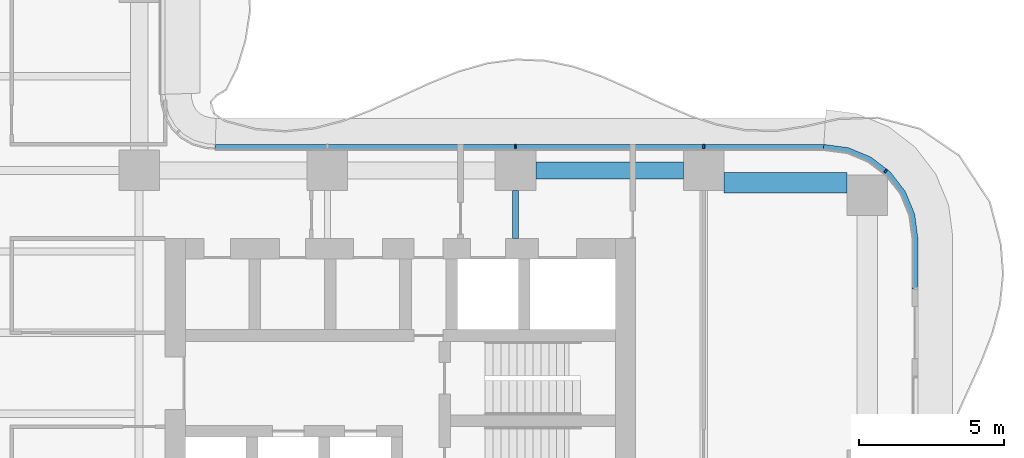
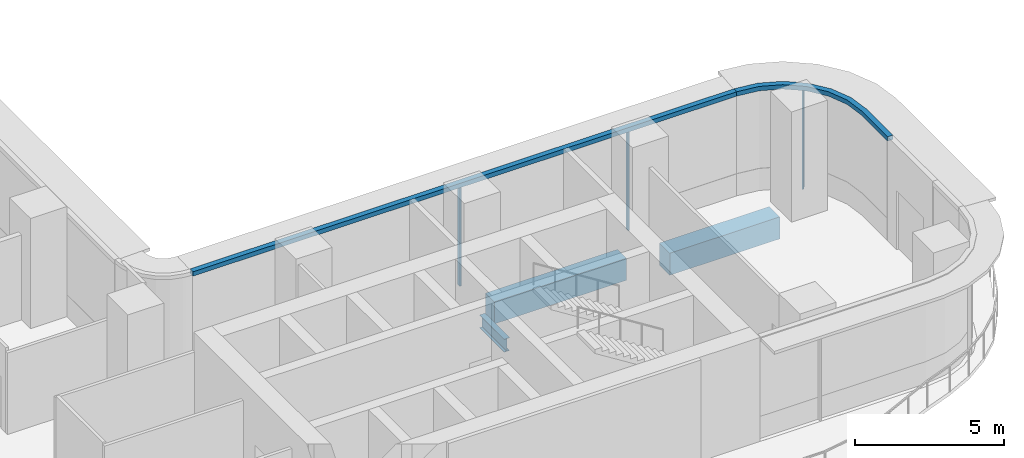
# One storey, part 11 of 22: 5 members, 3 beams, 2 elements without a shape of their own.
"""IFC4 building model written with IfcOpenShell, lengths in metres."""

from ifc_helpers import new_model, si_unit, direction, frame, origin, origin_2d, place, context, subcontext, project, spatial, polyline, rectangle, i_section, outline, extrude, source, transform, mapped, material, layer, layer_set, material_profile, profile_set, type_object, element, aggregate, save


model = new_model("IFC4")

# Units and contexts
model_context = context("Model", 3, precision=1e-05, world=origin(), true_north=direction((0.0, 1.0)))
body_context = subcontext(model_context, "Body", "Model", "MODEL_VIEW")
ifc_project = project(units=[si_unit("LENGTHUNIT", "METRE"), si_unit("AREAUNIT", "SQUARE_METRE"), si_unit("VOLUMEUNIT", "CUBIC_METRE"), si_unit("PLANEANGLEUNIT", "RADIAN"), si_unit("MASSUNIT", "GRAM", prefix="KILO")], contexts=[model_context])

# Site, building, storey
site_placement = place(None, origin())
site = spatial("IfcSite", under=ifc_project, at=site_placement, CompositionType="ELEMENT")
building_placement = place(site_placement, origin())
building = spatial("IfcBuilding", under=site, at=building_placement, Name="Trellis Farm Tower", CompositionType="ELEMENT")
storey_placement = place(building_placement, frame((0.0, 0.0, 38.5)))
storey = spatial("IfcBuildingStorey", under=building, at=storey_placement, Name="L07", CompositionType="ELEMENT", Elevation=38.5)

# Beams
ifc_material_1 = material(Name="Concrete C60/75", Category="concrete")
ifc_material_profile_1 = material_profile(ifc_material_1, rectangle(XDim=0.60009765625, YDim=0.89990234375, at=origin_2d()), Name="RC spandrel beam 600x900 C60/75")
ifc_profile_set_1 = profile_set([ifc_material_profile_1], Name="Concrete C60/75")
beam_type_1 = type_object("IfcBeamType", Name="RC spandrel beam 600x900 C60/75", PredefinedType="SPANDREL", material=ifc_profile_set_1)
shared_shape_1 = source(origin(), body_context, "Body", "SweptSolid", [
    extrude(rectangle(XDim=0.60009765625, YDim=0.89990234375, at=origin_2d()), origin(), (0.0, 0.0, 1.0), 5.099853515625),
])
beam_1_placement = place(storey_placement, frame((19.300048828125, 5.60009765625, -0.699951171875), z_axis=(1.0, 0.0, 0.0), x_axis=(0.0, 1.0, 0.0)))
element("IfcBeam", 1, at=beam_1_placement, inside=storey, type_object=beam_type_1, Name="Girder", PredefinedType="SPANDREL", context=body_context, shape_type="MappedRepresentation", body=[
    mapped(shared_shape_1, transform((0.0, 0.0, 0.0))),
])
ifc_material_profile_2 = material_profile(ifc_material_1, rectangle(XDim=0.699951171875, YDim=0.89990234375, at=origin_2d()), Name="RC spandrel beam 700x900 C60/75")
ifc_profile_set_2 = profile_set([ifc_material_profile_2], Name="Concrete C60/75")
beam_type_2 = type_object("IfcBeamType", Name="RC spandrel beam 700x900 C60/75", PredefinedType="SPANDREL", material=ifc_profile_set_2)
shared_shape_2 = source(origin(), body_context, "Body", "SweptSolid", [
    extrude(rectangle(XDim=0.699951171875, YDim=0.89990234375, at=origin_2d()), origin(), (0.0, 0.0, 1.0), 4.25),
])
beam_2_placement = place(storey_placement, frame((25.800048828125, 5.175048828125, -0.699951171875), z_axis=(1.0, 0.0, 0.0), x_axis=(0.0, 1.0, 0.0)))
element("IfcBeam", 2, at=beam_2_placement, inside=storey, type_object=beam_type_2, Name="Girder", PredefinedType="SPANDREL", context=body_context, shape_type="MappedRepresentation", body=[
    mapped(shared_shape_2, transform((0.0, 0.0, 0.0))),
])
ifc_material_2 = material(Name="Steel S355", Category="steel")
ifc_material_profile_3 = material_profile(ifc_material_2, i_section(OverallWidth=0.209228515625, OverallDepth=0.533203125, WebThickness=0.010009765625, FlangeThickness=0.015625, FilletRadius=0.0126953125, at=origin_2d()), Name="UB 533x210x92")
ifc_profile_set_3 = profile_set([ifc_material_profile_3], Name="Steel S355")
beam_type_3 = type_object("IfcBeamType", Name="UB 533x210x92", PredefinedType="BEAM", material=ifc_profile_set_3)
shared_shape_3 = source(origin(), body_context, "Body", "SweptSolid", [
    extrude(i_section(OverallWidth=0.209228515625, OverallDepth=0.533203125, WebThickness=0.010009765625, FlangeThickness=0.015625, FilletRadius=0.0126953125, at=origin_2d()), origin(), (0.0, 0.0, 1.0), 1.64990234375),
])
beam_3_placement = place(storey_placement, frame((18.60009765625, 3.25, -0.5166015625), z_axis=(0.0, 1.0, 0.0), x_axis=(-1.0, 0.0, 0.0)))
element("IfcBeam", 3, at=beam_3_placement, inside=storey, type_object=beam_type_3, Name="Girder", PredefinedType="BEAM", context=body_context, shape_type="MappedRepresentation", body=[
    mapped(shared_shape_3, transform((0.0, 0.0, 0.0))),
])

# Curtain wall, member
ifc_material_3 = material(Name="Aluminium and glass curtain wall", Category="aluminium")
ifc_layer_1 = layer(ifc_material_3, 0.18994140625)
ifc_layer_set_1 = layer_set([ifc_layer_1], Name="RIBBON CURTAIN WALL CW1")
curtain_wall_type = type_object("IfcCurtainWallType", Name="RIBBON CURTAIN WALL CW1", PredefinedType="NOTDEFINED", material=ifc_layer_set_1)
placement_1 = place(storey_placement, origin())
curtain_wall_1 = element("IfcCurtainWall", 4, at=placement_1, inside=storey, type_object=curtain_wall_type, Name="CW1 007", PredefinedType="NOTDEFINED")
ifc_material_4 = material(Name="Aluminium extrusion 6063-T6", Category="aluminium")
ifc_material_profile_4 = material_profile(ifc_material_4, rectangle(XDim=0.06005859375, YDim=0.14990234375, at=origin_2d()), Name="MULLION 60x150")
ifc_profile_set_4 = profile_set([ifc_material_profile_4], Name="Aluminium extrusion 6063-T6")
member_type_1 = type_object("IfcMemberType", Name="CW1 MULLION 60x150", PredefinedType="MULLION", material=ifc_profile_set_4)
shared_shape_4 = source(origin(), body_context, "Body", "SweptSolid", [
    extrude(rectangle(XDim=0.06005859375, YDim=0.14990234375, at=origin_2d()), origin(), (0.0, 0.0, 1.0), 4.070068359375),
])
member_1_placement = place(storey_placement, frame((31.385498046875, 5.578369140625, 0.0), z_axis=(0.0, 0.0, 1.0), x_axis=(-0.793353340291, 0.608761429009, 0.0)))
member_1 = element("IfcMember", 5, at=member_1_placement, type_object=member_type_1, Name="MU1 007-02", PredefinedType="MULLION", context=body_context, shape_type="MappedRepresentation", body=[
    mapped(shared_shape_4, transform((0.0, 0.0, 0.0))),
])

# Curtain wall, members
curtain_wall_2 = element("IfcCurtainWall", 6, at=placement_1, inside=storey, type_object=curtain_wall_type, Name="CW1 008", PredefinedType="NOTDEFINED")
member_2_placement = place(storey_placement, frame((25.10009765625, 6.425048828125, 0.0), z_axis=(0.0, 0.0, 1.0), x_axis=(-1.0, 0.0, 0.0)))
member_2 = element("IfcMember", 7, at=member_2_placement, type_object=member_type_1, Name="MU1 008-01", PredefinedType="MULLION", context=body_context, shape_type="MappedRepresentation", body=[
    mapped(shared_shape_4, transform((0.0, 0.0, 0.0))),
])
member_3_placement = place(storey_placement, frame((18.60009765625, 6.425048828125, 0.0), z_axis=(0.0, 0.0, 1.0), x_axis=(-1.0, 0.0, 0.0)))
member_3 = element("IfcMember", 8, at=member_3_placement, type_object=member_type_1, Name="MU1 008-02", PredefinedType="MULLION", context=body_context, shape_type="MappedRepresentation", body=[
    mapped(shared_shape_4, transform((0.0, 0.0, 0.0))),
])
ifc_layer_2 = layer(ifc_material_4, 0.199951171875)
ifc_layer_set_2 = layer_set([ifc_layer_2], Name="Aluminium extrusion 6063-T6")
member_type_2 = type_object("IfcMemberType", Name="CW1 TRANSOM 200x180", PredefinedType="USERDEFINED", material=ifc_layer_set_2)
shared_shape_5 = source(origin(), body_context, "Body", "SweptSolid", [
    extrude(outline(polyline([(29.25, 6.5), (8.2314453125, 6.5), (8.224853515625, 6.300048828125), (29.23681640625, 6.300048828125), (29.25, 6.5)])), origin(), (0.0, 0.0, 1.0), 0.179931640625),
])
placement_2 = place(storey_placement, frame((0.0, 0.0, 4.070068359375)))
member_4 = element("IfcMember", 9, at=placement_2, type_object=member_type_2, Name="TR1 008", ObjectType="TRANSOM", PredefinedType="USERDEFINED", context=body_context, shape_type="MappedRepresentation", body=[
    mapped(shared_shape_5, transform((0.0, 0.0, 0.0))),
])
aggregate(curtain_wall_2, [member_2, member_3, member_4])

# Member
shared_shape_6 = source(origin(), body_context, "Body", "SweptSolid", [
    extrude(outline(polyline([(32.5, 1.5), (32.5, 3.25), (32.38916015625, 4.091064453125), (32.064697265625, 4.875), (31.548095703125, 5.548095703125), (30.875, 6.064697265625), (30.091064453125, 6.38916015625), (29.25, 6.5), (29.23681640625, 6.300048828125), (30.0390625, 6.1943359375), (30.774169921875, 5.889892578125), (31.405517578125, 5.405517578125), (31.889892578125, 4.774169921875), (32.1943359375, 4.0390625), (32.300048828125, 3.23681640625), (32.300048828125, 1.5), (32.5, 1.5)])), origin(), (0.0, 0.0, 1.0), 0.179931640625),
])
member_5 = element("IfcMember", 10, at=placement_2, type_object=member_type_2, Name="TR1 007", ObjectType="TRANSOM", PredefinedType="USERDEFINED", context=body_context, shape_type="MappedRepresentation", body=[
    mapped(shared_shape_6, transform((0.0, 0.0, 0.0))),
])

aggregate(curtain_wall_1, [member_1, member_5])

save(model, "model.ifc")
